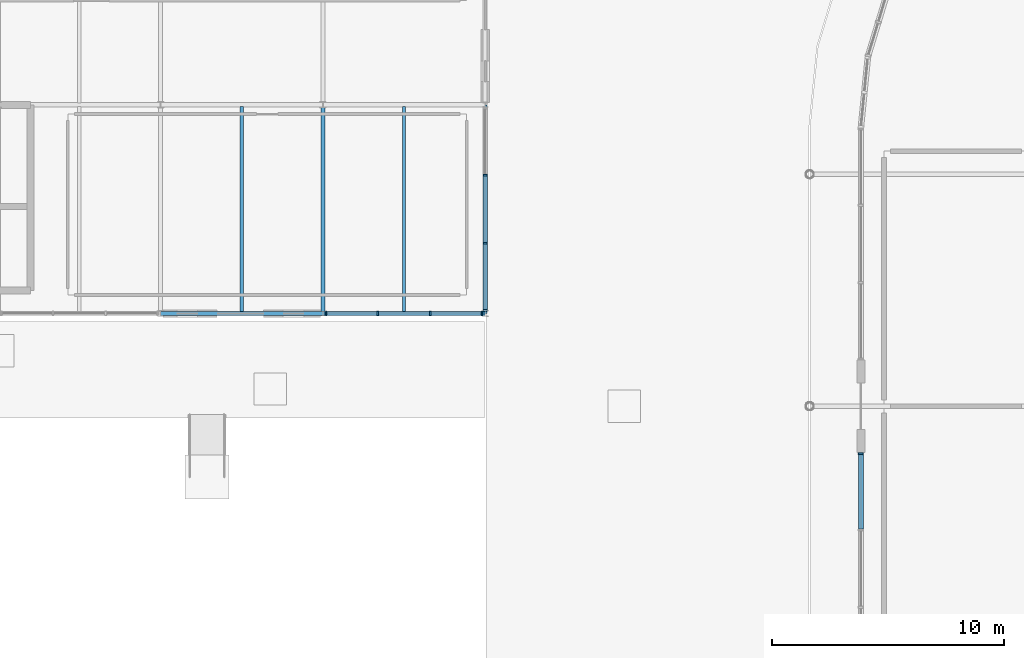
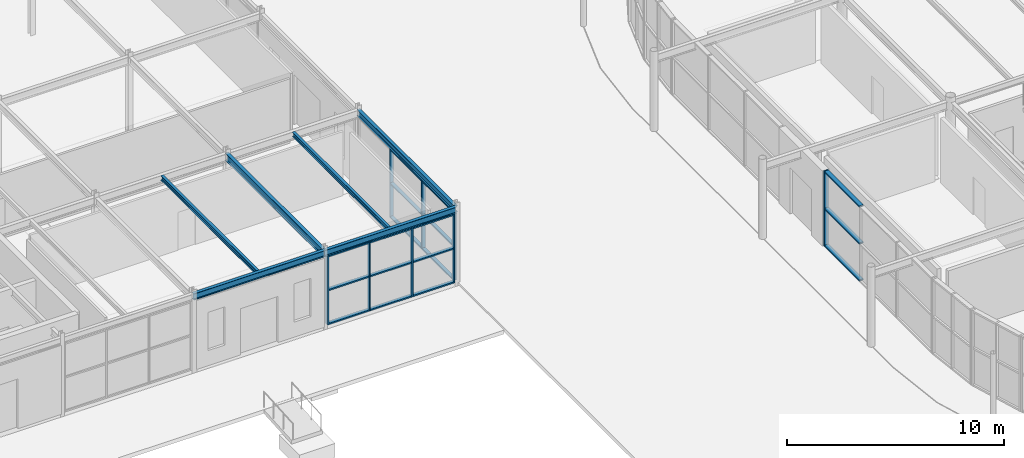
# One storey, part 49 of 119: 26 members, 6 beams, 3 elements without a shape of their own.
"""IFC4 building model written with IfcOpenShell, lengths in metres."""

from ifc_helpers import new_model, si_unit, derived_unit, direction, frame, origin, origin_2d_with_axis, place, context, subcontext, project, spatial, rectangle, i_section, extrude, material, material_profile, profile_set, type_object, element, aggregate, save


model = new_model("IFC4")

# Units and contexts
model_context = context("Model", 3, precision=1e-05, world=origin(), true_north=direction((0.0, 1.0)))
body_context = subcontext(model_context, "Body", "Model", "MODEL_VIEW")
ifc_project = project(units=[si_unit("LENGTHUNIT", "METRE"), si_unit("AREAUNIT", "SQUARE_METRE"), si_unit("VOLUMEUNIT", "CUBIC_METRE"), si_unit("PLANEANGLEUNIT", "RADIAN"), si_unit("MASSUNIT", "GRAM", prefix="KILO"), derived_unit("THERMALTRANSMITTANCEUNIT", [(si_unit("POWERUNIT", "WATT"), 1), (si_unit("LENGTHUNIT", "METRE"), -2), (si_unit("THERMODYNAMICTEMPERATUREUNIT", "KELVIN"), -1)])], contexts=[model_context])

# Site, building, storey
site_placement = place(None, origin())
site = spatial("IfcSite", under=ifc_project, at=site_placement, CompositionType="ELEMENT")
building_placement = place(site_placement, origin())
building = spatial("IfcBuilding", under=site, at=building_placement, Name="Cinnabar Yard Market Hall", CompositionType="ELEMENT")
storey_placement = place(building_placement, origin())
storey = spatial("IfcBuildingStorey", under=building, at=storey_placement, Name="L00", CompositionType="ELEMENT", Elevation=0.0)

# Beams
ifc_material_1 = material(Name="Steel Grade 300 (300 MPa)", Category="steel")
ifc_material_profile_1 = material_profile(ifc_material_1, i_section(OverallWidth=0.177978515625, OverallDepth=0.406494140625, WebThickness=0.0078125, FlangeThickness=0.0126953125, FilletRadius=0.011474609375, at=origin_2d_with_axis()), Name="410UB59.7")
ifc_profile_set_1 = profile_set([ifc_material_profile_1], Name="Steel Grade 300 (300 MPa)")
beam_type_1 = type_object("IfcBeamType", Name="BM-B06", PredefinedType="BEAM", material=ifc_profile_set_1)
beam_1_placement = place(storey_placement, frame((45.0, 48.0, 4.036865234375), z_axis=(0.0, 1.0, 0.0), x_axis=(-1.0, 0.0, 0.0)))
element("IfcBeam", 1, at=beam_1_placement, inside=storey, type_object=beam_type_1, Name="V2 L00 Girder Y 00698", PredefinedType="BEAM", context=body_context, shape_type="SweptSolid", body=[
    extrude(i_section(OverallWidth=0.177978515625, OverallDepth=0.406494140625, WebThickness=0.0078125, FlangeThickness=0.0126953125, FilletRadius=0.011474609375, at=origin_2d_with_axis()), origin(), (0.0, 0.0, 1.0), 9.0),
])
ifc_material_profile_2 = material_profile(ifc_material_1, i_section(OverallWidth=0.14599609375, OverallDepth=0.256103515625, WebThickness=0.00634765625, FlangeThickness=0.010986328125, FilletRadius=0.0087890625, at=origin_2d_with_axis()), Name="250UB37.3")
ifc_profile_set_2 = profile_set([ifc_material_profile_2], Name="Steel Grade 300 (300 MPa)")
beam_type_2 = type_object("IfcBeamType", Name="BM-J03", PredefinedType="JOIST", material=ifc_profile_set_2)
for number, where, z_axis, x_axis, name in (
    (2, (41.5, 48.074951171875, 4.11181640625), (0.0, 1.0, 0.0), (-1.0, 0.0, 0.0), "V2 L00 Joist 00694"),
    (3, (48.5, 48.074951171875, 4.11181640625), (0.0, 1.0, 0.0), (-1.0, 0.0, 0.0), "V2 L00 Joist 00699"),
):
    element("IfcBeam", number, at=place(storey_placement, frame(where, z_axis=z_axis, x_axis=x_axis)), inside=storey, type_object=beam_type_2, Name=name, PredefinedType="JOIST", context=body_context, shape_type="SweptSolid", body=[
        extrude(i_section(OverallWidth=0.14599609375, OverallDepth=0.256103515625, WebThickness=0.00634765625, FlangeThickness=0.010986328125, FilletRadius=0.0087890625, at=origin_2d_with_axis()), origin(), (0.0, 0.0, 1.0), 8.85009765625),
    ])
ifc_material_profile_3 = material_profile(ifc_material_1, i_section(OverallWidth=0.172119140625, OverallDepth=0.358642578125, WebThickness=0.008056640625, FlangeThickness=0.012939453125, FilletRadius=0.011474609375, at=origin_2d_with_axis()), Name="360UB56.7")
ifc_profile_set_3 = profile_set([ifc_material_profile_3], Name="Steel Grade 300 (300 MPa)")
beam_type_3 = type_object("IfcBeamType", Name="BM-SP02E", PredefinedType="SPANDREL", material=ifc_profile_set_3)
for number, where, z_axis, x_axis, name in (
    (4, (38.0, 48.0, 4.060791015625), (1.0, 0.0, 0.0), (0.0, 1.0, 0.0), "V2 L00 Girder X 00654"),
    (5, (45.0, 48.0, 4.060791015625), (1.0, 0.0, 0.0), (0.0, 1.0, 0.0), "V2 L00 Girder X 00659"),
):
    element("IfcBeam", number, at=place(storey_placement, frame(where, z_axis=z_axis, x_axis=x_axis)), inside=storey, type_object=beam_type_3, Name=name, PredefinedType="SPANDREL", context=body_context, shape_type="SweptSolid", body=[
        extrude(i_section(OverallWidth=0.172119140625, OverallDepth=0.358642578125, WebThickness=0.008056640625, FlangeThickness=0.012939453125, FilletRadius=0.011474609375, at=origin_2d_with_axis()), origin(), (0.0, 0.0, 1.0), 7.0),
    ])
beam_2_placement = place(storey_placement, frame((52.0, 48.0, 4.060791015625), z_axis=(0.0, 1.0, 0.0), x_axis=(-1.0, 0.0, 0.0)))
element("IfcBeam", 6, at=beam_2_placement, inside=storey, type_object=beam_type_3, Name="V2 L00 Girder Y 00703", PredefinedType="SPANDREL", context=body_context, shape_type="SweptSolid", body=[
    extrude(i_section(OverallWidth=0.172119140625, OverallDepth=0.358642578125, WebThickness=0.008056640625, FlangeThickness=0.012939453125, FilletRadius=0.011474609375, at=origin_2d_with_axis()), origin(), (0.0, 0.0, 1.0), 9.0),
])

# Curtain wall, members
ifc_material_2 = material(Name="Anodised bronze aluminium courtyard facade", Category="aluminium")
curtain_wall_type_1 = type_object("IfcCurtainWallType", Name="CW-CWF068x39", PredefinedType="NOTDEFINED", material=ifc_material_2)
curtain_wall_1_placement = place(storey_placement, origin())
curtain_wall_1 = element("IfcCurtainWall", 7, at=curtain_wall_1_placement, inside=storey, type_object=curtain_wall_type_1, Name="Pavilion South Glazed Arcade L00 Bay 6", PredefinedType="NOTDEFINED")
ifc_material_3 = material(Name="Anodised bronze aluminium", Category="aluminium")
ifc_material_profile_4 = material_profile(ifc_material_3, rectangle(XDim=0.179931640625, YDim=0.074951171875, at=origin_2d_with_axis()), Name="MUL-CWF")
ifc_profile_set_4 = profile_set([ifc_material_profile_4], Name="Anodised bronze aluminium")
member_type_1 = type_object("IfcMemberType", Name="CWM-CWF", PredefinedType="MULLION", material=ifc_profile_set_4)
member_1_placement = place(storey_placement, frame((45.137451171875, 48.0, 0.0), z_axis=(0.0, 0.0, 1.0), x_axis=(0.0, 1.0, 0.0)))
member_1 = element("IfcMember", 8, at=member_1_placement, type_object=member_type_1, Name="CWF068x39 mullion 1", PredefinedType="MULLION", context=body_context, shape_type="SweptSolid", body=[
    extrude(rectangle(XDim=0.179931640625, YDim=0.074951171875, at=origin_2d_with_axis()), origin(), (0.0, 0.0, 1.0), 3.8798828125),
])
member_2_placement = place(storey_placement, frame((47.36669921875, 48.0, 0.0), z_axis=(0.0, 0.0, 1.0), x_axis=(0.0, 1.0, 0.0)))
member_2 = element("IfcMember", 9, at=member_2_placement, type_object=member_type_1, Name="CWF068x39 mullion 2", PredefinedType="MULLION", context=body_context, shape_type="SweptSolid", body=[
    extrude(rectangle(XDim=0.179931640625, YDim=0.074951171875, at=origin_2d_with_axis()), origin(), (0.0, 0.0, 1.0), 3.8798828125),
])
member_3_placement = place(storey_placement, frame((49.63330078125, 48.0, 0.0), z_axis=(0.0, 0.0, 1.0), x_axis=(0.0, 1.0, 0.0)))
member_3 = element("IfcMember", 10, at=member_3_placement, type_object=member_type_1, Name="CWF068x39 mullion 3", PredefinedType="MULLION", context=body_context, shape_type="SweptSolid", body=[
    extrude(rectangle(XDim=0.179931640625, YDim=0.074951171875, at=origin_2d_with_axis()), origin(), (0.0, 0.0, 1.0), 3.8798828125),
])
member_4_placement = place(storey_placement, frame((51.862548828125, 48.0, 0.0), z_axis=(0.0, 0.0, 1.0), x_axis=(0.0, 1.0, 0.0)))
member_4 = element("IfcMember", 11, at=member_4_placement, type_object=member_type_1, Name="CWF068x39 mullion 4", PredefinedType="MULLION", context=body_context, shape_type="SweptSolid", body=[
    extrude(rectangle(XDim=0.179931640625, YDim=0.074951171875, at=origin_2d_with_axis()), origin(), (0.0, 0.0, 1.0), 3.8798828125),
])

curtain_wall_type_2 = type_object("IfcCurtainWallType", Name="CW-CWF088x39", PredefinedType="NOTDEFINED", material=ifc_material_2)
curtain_wall_2_placement = place(storey_placement, origin())
curtain_wall_2 = element("IfcCurtainWall", 12, at=curtain_wall_2_placement, inside=storey, type_object=curtain_wall_type_2, Name="Pavilion Courtyard Glazing L00 Bay 1", PredefinedType="NOTDEFINED")
member_5_placement = place(storey_placement, frame((52.0, 48.137451171875, 0.0), z_axis=(0.0, 0.0, 1.0), x_axis=(-1.0, 0.0, 0.0)))
member_5 = element("IfcMember", 13, at=member_5_placement, type_object=member_type_1, Name="CWF088x39 mullion 1", PredefinedType="MULLION", context=body_context, shape_type="SweptSolid", body=[
    extrude(rectangle(XDim=0.179931640625, YDim=0.074951171875, at=origin_2d_with_axis()), origin(), (0.0, 0.0, 1.0), 3.8798828125),
])
member_6_placement = place(storey_placement, frame((52.0, 51.033447265625, 0.0), z_axis=(0.0, 0.0, 1.0), x_axis=(-1.0, 0.0, 0.0)))
member_6 = element("IfcMember", 14, at=member_6_placement, type_object=member_type_1, Name="CWF088x39 mullion 2", PredefinedType="MULLION", context=body_context, shape_type="SweptSolid", body=[
    extrude(rectangle(XDim=0.179931640625, YDim=0.074951171875, at=origin_2d_with_axis()), origin(), (0.0, 0.0, 1.0), 3.8798828125),
])
member_7_placement = place(storey_placement, frame((52.0, 53.966552734375, 0.0), z_axis=(0.0, 0.0, 1.0), x_axis=(-1.0, 0.0, 0.0)))
member_7 = element("IfcMember", 15, at=member_7_placement, type_object=member_type_1, Name="CWF088x39 mullion 3", PredefinedType="MULLION", context=body_context, shape_type="SweptSolid", body=[
    extrude(rectangle(XDim=0.179931640625, YDim=0.074951171875, at=origin_2d_with_axis()), origin(), (0.0, 0.0, 1.0), 3.8798828125),
])

# Curtain wall, member
ifc_material_4 = material(Name="Anodised bronze aluminium and low-E glass", Category="aluminium")
curtain_wall_type_3 = type_object("IfcCurtainWallType", Name="CW-CWH100x42", PredefinedType="NOTDEFINED", material=ifc_material_4)
curtain_wall_3_placement = place(storey_placement, origin())
curtain_wall_3 = element("IfcCurtainWall", 16, at=curtain_wall_3_placement, inside=storey, type_object=curtain_wall_type_3, Name="Market Hall West Ground Glazing W1", PredefinedType="NOTDEFINED")
ifc_material_profile_5 = material_profile(ifc_material_3, rectangle(XDim=0.219970703125, YDim=0.080078125, at=origin_2d_with_axis()), Name="MUL-CWH")
ifc_profile_set_5 = profile_set([ifc_material_profile_5], Name="Anodised bronze aluminium")
member_type_2 = type_object("IfcMemberType", Name="CWM-CWH", PredefinedType="MULLION", material=ifc_profile_set_5)
member_8_placement = place(storey_placement, frame((68.199951171875, 41.9599609375, 0.0), z_axis=(0.0, 0.0, 1.0), x_axis=(1.0, 0.0, 0.0)))
member_8 = element("IfcMember", 17, at=member_8_placement, type_object=member_type_2, Name="CWH100x42 mullion 1", PredefinedType="MULLION", context=body_context, shape_type="SweptSolid", body=[
    extrude(rectangle(XDim=0.219970703125, YDim=0.080078125, at=origin_2d_with_axis()), origin(), (0.0, 0.0, 1.0), 4.239990234375),
])

# Member
ifc_material_profile_6 = material_profile(ifc_material_3, rectangle(XDim=0.179931640625, YDim=0.074951171875, at=origin_2d_with_axis()), Name="TRN-CWF")
ifc_profile_set_6 = profile_set([ifc_material_profile_6], Name="Anodised bronze aluminium")
member_type_3 = type_object("IfcMemberType", Name="CWT-CWF", PredefinedType="USERDEFINED", material=ifc_profile_set_6)
member_9_placement = place(storey_placement, frame((45.175048828125, 48.0, 0.03759765625), z_axis=(1.0, 0.0, 0.0), x_axis=(0.0, 1.0, 0.0)))
member_9 = element("IfcMember", 18, at=member_9_placement, type_object=member_type_3, Name="CWF068x39 transom 1.1", ObjectType="TRANSOM", PredefinedType="USERDEFINED", context=body_context, shape_type="SweptSolid", body=[
    extrude(rectangle(XDim=0.179931640625, YDim=0.074951171875, at=origin_2d_with_axis()), origin(), (0.0, 0.0, 1.0), 2.154052734375),
])

member_10_placement = place(storey_placement, frame((45.175048828125, 48.0, 1.93994140625), z_axis=(1.0, 0.0, 0.0), x_axis=(0.0, 1.0, 0.0)))
member_10 = element("IfcMember", 19, at=member_10_placement, type_object=member_type_3, Name="CWF068x39 transom 1.2", ObjectType="TRANSOM", PredefinedType="USERDEFINED", context=body_context, shape_type="SweptSolid", body=[
    extrude(rectangle(XDim=0.179931640625, YDim=0.074951171875, at=origin_2d_with_axis()), origin(), (0.0, 0.0, 1.0), 2.154052734375),
])

member_11_placement = place(storey_placement, frame((45.175048828125, 48.0, 3.842529296875), z_axis=(1.0, 0.0, 0.0), x_axis=(0.0, 1.0, 0.0)))
member_11 = element("IfcMember", 20, at=member_11_placement, type_object=member_type_3, Name="CWF068x39 transom 1.3", ObjectType="TRANSOM", PredefinedType="USERDEFINED", context=body_context, shape_type="SweptSolid", body=[
    extrude(rectangle(XDim=0.179931640625, YDim=0.074951171875, at=origin_2d_with_axis()), origin(), (0.0, 0.0, 1.0), 2.154052734375),
])

member_12_placement = place(storey_placement, frame((47.404052734375, 48.0, 0.03759765625), z_axis=(1.0, 0.0, 0.0), x_axis=(0.0, 1.0, 0.0)))
member_12 = element("IfcMember", 21, at=member_12_placement, type_object=member_type_3, Name="CWF068x39 transom 2.1", ObjectType="TRANSOM", PredefinedType="USERDEFINED", context=body_context, shape_type="SweptSolid", body=[
    extrude(rectangle(XDim=0.179931640625, YDim=0.074951171875, at=origin_2d_with_axis()), origin(), (0.0, 0.0, 1.0), 2.19189453125),
])

member_13_placement = place(storey_placement, frame((47.404052734375, 48.0, 1.93994140625), z_axis=(1.0, 0.0, 0.0), x_axis=(0.0, 1.0, 0.0)))
member_13 = element("IfcMember", 22, at=member_13_placement, type_object=member_type_3, Name="CWF068x39 transom 2.2", ObjectType="TRANSOM", PredefinedType="USERDEFINED", context=body_context, shape_type="SweptSolid", body=[
    extrude(rectangle(XDim=0.179931640625, YDim=0.074951171875, at=origin_2d_with_axis()), origin(), (0.0, 0.0, 1.0), 2.19189453125),
])

member_14_placement = place(storey_placement, frame((47.404052734375, 48.0, 3.842529296875), z_axis=(1.0, 0.0, 0.0), x_axis=(0.0, 1.0, 0.0)))
member_14 = element("IfcMember", 23, at=member_14_placement, type_object=member_type_3, Name="CWF068x39 transom 2.3", ObjectType="TRANSOM", PredefinedType="USERDEFINED", context=body_context, shape_type="SweptSolid", body=[
    extrude(rectangle(XDim=0.179931640625, YDim=0.074951171875, at=origin_2d_with_axis()), origin(), (0.0, 0.0, 1.0), 2.19189453125),
])

member_15_placement = place(storey_placement, frame((49.6708984375, 48.0, 0.03759765625), z_axis=(1.0, 0.0, 0.0), x_axis=(0.0, 1.0, 0.0)))
member_15 = element("IfcMember", 24, at=member_15_placement, type_object=member_type_3, Name="CWF068x39 transom 3.1", ObjectType="TRANSOM", PredefinedType="USERDEFINED", context=body_context, shape_type="SweptSolid", body=[
    extrude(rectangle(XDim=0.179931640625, YDim=0.074951171875, at=origin_2d_with_axis()), origin(), (0.0, 0.0, 1.0), 2.154052734375),
])

member_16_placement = place(storey_placement, frame((49.6708984375, 48.0, 1.93994140625), z_axis=(1.0, 0.0, 0.0), x_axis=(0.0, 1.0, 0.0)))
member_16 = element("IfcMember", 25, at=member_16_placement, type_object=member_type_3, Name="CWF068x39 transom 3.2", ObjectType="TRANSOM", PredefinedType="USERDEFINED", context=body_context, shape_type="SweptSolid", body=[
    extrude(rectangle(XDim=0.179931640625, YDim=0.074951171875, at=origin_2d_with_axis()), origin(), (0.0, 0.0, 1.0), 2.154052734375),
])

member_17_placement = place(storey_placement, frame((49.6708984375, 48.0, 3.842529296875), z_axis=(1.0, 0.0, 0.0), x_axis=(0.0, 1.0, 0.0)))
member_17 = element("IfcMember", 26, at=member_17_placement, type_object=member_type_3, Name="CWF068x39 transom 3.3", ObjectType="TRANSOM", PredefinedType="USERDEFINED", context=body_context, shape_type="SweptSolid", body=[
    extrude(rectangle(XDim=0.179931640625, YDim=0.074951171875, at=origin_2d_with_axis()), origin(), (0.0, 0.0, 1.0), 2.154052734375),
])

aggregate(curtain_wall_1, [member_1, member_2, member_3, member_4, member_9, member_10, member_11, member_12, member_13, member_14, member_15, member_16, member_17])

member_18_placement = place(storey_placement, frame((52.0, 48.175048828125, 0.03759765625), z_axis=(0.0, 1.0, 0.0), x_axis=(-1.0, 0.0, 0.0)))
member_18 = element("IfcMember", 27, at=member_18_placement, type_object=member_type_3, Name="CWF088x39 transom 1.1", ObjectType="TRANSOM", PredefinedType="USERDEFINED", context=body_context, shape_type="SweptSolid", body=[
    extrude(rectangle(XDim=0.179931640625, YDim=0.074951171875, at=origin_2d_with_axis()), origin(), (0.0, 0.0, 1.0), 2.82080078125),
])

member_19_placement = place(storey_placement, frame((52.0, 48.175048828125, 1.93994140625), z_axis=(0.0, 1.0, 0.0), x_axis=(-1.0, 0.0, 0.0)))
member_19 = element("IfcMember", 28, at=member_19_placement, type_object=member_type_3, Name="CWF088x39 transom 1.2", ObjectType="TRANSOM", PredefinedType="USERDEFINED", context=body_context, shape_type="SweptSolid", body=[
    extrude(rectangle(XDim=0.179931640625, YDim=0.074951171875, at=origin_2d_with_axis()), origin(), (0.0, 0.0, 1.0), 2.82080078125),
])

member_20_placement = place(storey_placement, frame((52.0, 48.175048828125, 3.842529296875), z_axis=(0.0, 1.0, 0.0), x_axis=(-1.0, 0.0, 0.0)))
member_20 = element("IfcMember", 29, at=member_20_placement, type_object=member_type_3, Name="CWF088x39 transom 1.3", ObjectType="TRANSOM", PredefinedType="USERDEFINED", context=body_context, shape_type="SweptSolid", body=[
    extrude(rectangle(XDim=0.179931640625, YDim=0.074951171875, at=origin_2d_with_axis()), origin(), (0.0, 0.0, 1.0), 2.82080078125),
])

member_21_placement = place(storey_placement, frame((52.0, 51.07080078125, 0.03759765625), z_axis=(0.0, 1.0, 0.0), x_axis=(-1.0, 0.0, 0.0)))
member_21 = element("IfcMember", 30, at=member_21_placement, type_object=member_type_3, Name="CWF088x39 transom 2.1", ObjectType="TRANSOM", PredefinedType="USERDEFINED", context=body_context, shape_type="SweptSolid", body=[
    extrude(rectangle(XDim=0.179931640625, YDim=0.074951171875, at=origin_2d_with_axis()), origin(), (0.0, 0.0, 1.0), 2.8583984375),
])

member_22_placement = place(storey_placement, frame((52.0, 51.07080078125, 1.93994140625), z_axis=(0.0, 1.0, 0.0), x_axis=(-1.0, 0.0, 0.0)))
member_22 = element("IfcMember", 31, at=member_22_placement, type_object=member_type_3, Name="CWF088x39 transom 2.2", ObjectType="TRANSOM", PredefinedType="USERDEFINED", context=body_context, shape_type="SweptSolid", body=[
    extrude(rectangle(XDim=0.179931640625, YDim=0.074951171875, at=origin_2d_with_axis()), origin(), (0.0, 0.0, 1.0), 2.8583984375),
])

member_23_placement = place(storey_placement, frame((52.0, 51.07080078125, 3.842529296875), z_axis=(0.0, 1.0, 0.0), x_axis=(-1.0, 0.0, 0.0)))
member_23 = element("IfcMember", 32, at=member_23_placement, type_object=member_type_3, Name="CWF088x39 transom 2.3", ObjectType="TRANSOM", PredefinedType="USERDEFINED", context=body_context, shape_type="SweptSolid", body=[
    extrude(rectangle(XDim=0.179931640625, YDim=0.074951171875, at=origin_2d_with_axis()), origin(), (0.0, 0.0, 1.0), 2.8583984375),
])

aggregate(curtain_wall_2, [member_5, member_6, member_7, member_18, member_19, member_20, member_21, member_22, member_23])

ifc_material_profile_7 = material_profile(ifc_material_3, rectangle(XDim=0.219970703125, YDim=0.080078125, at=origin_2d_with_axis()), Name="TRN-CWH")
ifc_profile_set_7 = profile_set([ifc_material_profile_7], Name="Anodised bronze aluminium")
member_type_4 = type_object("IfcMemberType", Name="CWT-CWH", PredefinedType="USERDEFINED", material=ifc_profile_set_7)
member_24_placement = place(storey_placement, frame((68.199951171875, 41.919921875, 0.0400390625), z_axis=(0.0, -1.0, 0.0), x_axis=(1.0, 0.0, 0.0)))
member_24 = element("IfcMember", 33, at=member_24_placement, type_object=member_type_4, Name="CWH100x42 transom 1.1", ObjectType="TRANSOM", PredefinedType="USERDEFINED", context=body_context, shape_type="SweptSolid", body=[
    extrude(rectangle(XDim=0.219970703125, YDim=0.080078125, at=origin_2d_with_axis()), origin(), (0.0, 0.0, 1.0), 3.213134765625),
])

member_25_placement = place(storey_placement, frame((68.199951171875, 41.919921875, 2.1201171875), z_axis=(0.0, -1.0, 0.0), x_axis=(1.0, 0.0, 0.0)))
member_25 = element("IfcMember", 34, at=member_25_placement, type_object=member_type_4, Name="CWH100x42 transom 1.2", ObjectType="TRANSOM", PredefinedType="USERDEFINED", context=body_context, shape_type="SweptSolid", body=[
    extrude(rectangle(XDim=0.219970703125, YDim=0.080078125, at=origin_2d_with_axis()), origin(), (0.0, 0.0, 1.0), 3.213134765625),
])

member_26_placement = place(storey_placement, frame((68.199951171875, 41.919921875, 4.199951171875), z_axis=(0.0, -1.0, 0.0), x_axis=(1.0, 0.0, 0.0)))
member_26 = element("IfcMember", 35, at=member_26_placement, type_object=member_type_4, Name="CWH100x42 transom 1.3", ObjectType="TRANSOM", PredefinedType="USERDEFINED", context=body_context, shape_type="SweptSolid", body=[
    extrude(rectangle(XDim=0.219970703125, YDim=0.080078125, at=origin_2d_with_axis()), origin(), (0.0, 0.0, 1.0), 3.213134765625),
])

aggregate(curtain_wall_3, [member_8, member_24, member_25, member_26])

save(model, "model.ifc")
